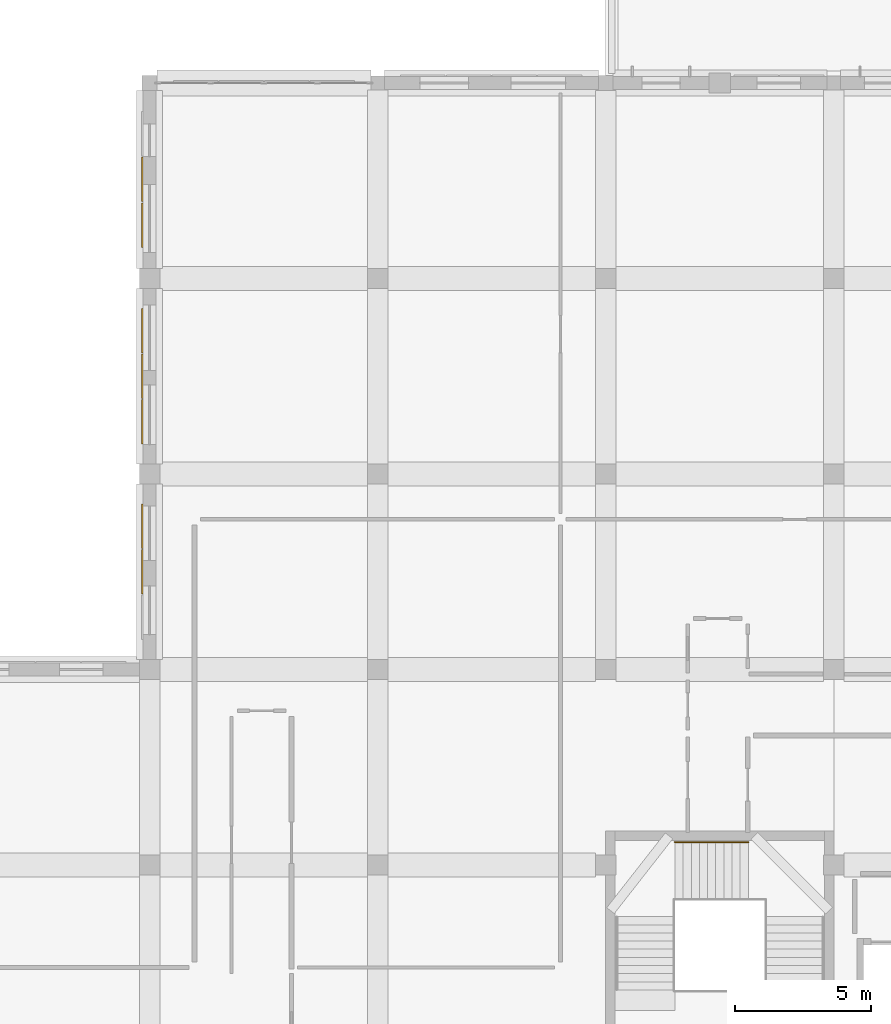
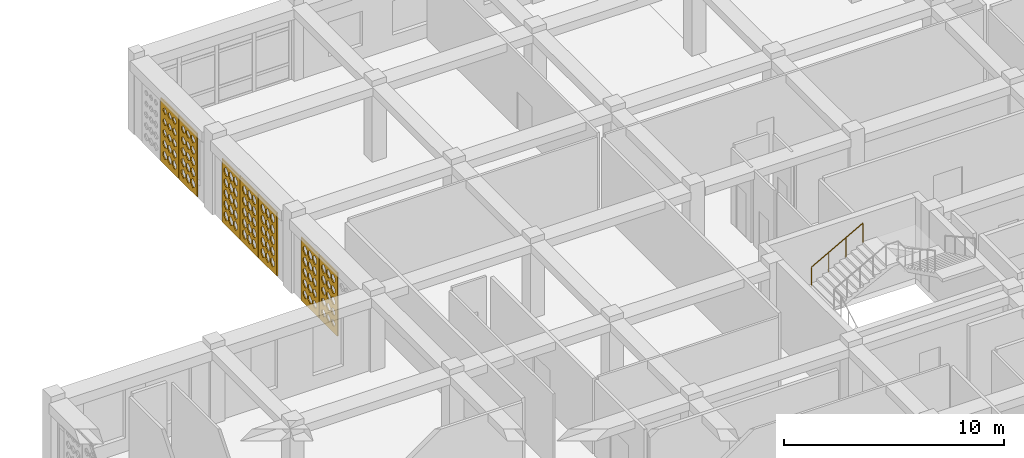
# One storey, part 98 of 111: 7 coverings, 1 railing.
"""IFC4 building model written with IfcOpenShell, lengths in metres."""

from ifc_helpers import new_model, si_unit, derived_unit, direction, frame, origin, origin_2d, place, context, subcontext, project, spatial, polyline, circle, outline, extrude, material, layer, layer_set, type_object, element, save


model = new_model("IFC4")

# Units and contexts
model_context = context("Model", 3, precision=1e-05, world=origin(), true_north=direction((0.0, 1.0)))
body_context = subcontext(model_context, "Body", "Model", "MODEL_VIEW")
ifc_project = project(units=[si_unit("LENGTHUNIT", "METRE"), si_unit("AREAUNIT", "SQUARE_METRE"), si_unit("VOLUMEUNIT", "CUBIC_METRE"), si_unit("PLANEANGLEUNIT", "RADIAN"), si_unit("MASSUNIT", "GRAM", prefix="KILO"), derived_unit("THERMALTRANSMITTANCEUNIT", [(si_unit("POWERUNIT", "WATT"), 1), (si_unit("LENGTHUNIT", "METRE"), -2), (si_unit("THERMODYNAMICTEMPERATUREUNIT", "KELVIN"), -1)])], contexts=[model_context])

# Site, building, storey
site_placement = place(None, origin())
site = spatial("IfcSite", under=ifc_project, at=site_placement, CompositionType="ELEMENT")
building_placement = place(site_placement, origin())
building = spatial("IfcBuilding", under=site, at=building_placement, Name="Veybourne Emporium", CompositionType="ELEMENT")
storey_placement = place(building_placement, frame((0.0, 0.0, 9.89990234375)))
storey = spatial("IfcBuildingStorey", under=building, at=storey_placement, Name="L02", CompositionType="ELEMENT", Elevation=9.89990234375)

# Railing
ifc_material_1 = material(Name="Brushed Stainless Steel", Category="steel")
railing_type = type_object("IfcRailingType", Name="Handrail_HR-01", PredefinedType="HANDRAIL", material=ifc_material_1)
railing_placement = place(storey_placement, frame((52.949951171875, 80.0400390625, 1.650146484375)))
element("IfcRailing", 1, at=railing_placement, inside=storey, type_object=railing_type, Name="L02 ST-03 pitch handrail 2", PredefinedType="HANDRAIL", context=body_context, shape_type="SweptSolid", body=[
    extrude(circle(Radius=0.02392578125, at=origin_2d()), frame((0.0, 0.0, 0.92578125), z_axis=(0.87415354758, 0.0, 0.485649642493), x_axis=(0.0, 1.0, 0.0)), (0.0, 0.0, 1.0), 3.088623046875),
    extrude(circle(Radius=0.02099609375, at=origin_2d()), frame((0.0, 0.0, -0.14990234375)), (0.0, 0.0, 1.0), 1.0517578125),
    extrude(circle(Radius=0.02099609375, at=origin_2d()), frame((0.89990234375, 0.0, 0.35009765625)), (0.0, 0.0, 1.0), 1.0517578125),
    extrude(circle(Radius=0.02099609375, at=origin_2d()), frame((1.800048828125, 0.0, 0.85009765625)), (0.0, 0.0, 1.0), 1.0517578125),
    extrude(circle(Radius=0.02099609375, at=origin_2d()), frame((2.699951171875, 0.0, 1.35009765625)), (0.0, 0.0, 1.0), 1.0517578125),
])

# Coverings
ifc_material_2 = material(Name="Warm-White Perforated Aluminium Screen Alloy", Category="aluminium")
ifc_layer_1 = layer(ifc_material_2, 0.06005859375)
ifc_layer_set_1 = layer_set([ifc_layer_1], Name="Warm-White Perforated Aluminium Screen Alloy")
covering_type_1 = type_object("IfcCoveringType", Name="WaveScreen_SCR-01", PredefinedType="CLADDING", material=ifc_layer_set_1)
covering_1_placement = place(storey_placement, frame((33.302001953125, 98.8798828125, 1.815185546875), z_axis=(1.0, 0.0, 0.0), x_axis=(0.0, 1.0, 0.0)))
element("IfcCovering", 2, at=covering_1_placement, inside=storey, type_object=covering_type_1, Name="L02 wave-perforated aluminium screen SCR-01 (23.3)", PredefinedType="CLADDING", context=body_context, shape_type="SweptSolid", body=[
    extrude(outline(polyline([(-0.81982421875, -1.7548828125), (0.81982421875, -1.7548828125), (0.81982421875, 1.7548828125), (-0.81982421875, 1.7548828125), (-0.81982421875, -1.7548828125)]), holes=[polyline([(-0.433349609375, -0.964111328125), (-0.2470703125, -1.133056640625), (-0.2470703125, -1.322998046875), (-0.433349609375, -1.491943359375), (-0.61962890625, -1.322998046875), (-0.61962890625, -1.133056640625), (-0.433349609375, -0.964111328125)]), polyline([(-0.433349609375, -0.35009765625), (-0.2470703125, -0.51904296875), (-0.2470703125, -0.708984375), (-0.433349609375, -0.8779296875), (-0.61962890625, -0.708984375), (-0.61962890625, -0.51904296875), (-0.433349609375, -0.35009765625)]), polyline([(-0.433349609375, 0.263916015625), (-0.2470703125, 0.094970703125), (-0.2470703125, -0.094970703125), (-0.433349609375, -0.263916015625), (-0.61962890625, -0.094970703125), (-0.61962890625, 0.094970703125), (-0.433349609375, 0.263916015625)]), polyline([(-0.433349609375, 0.8779296875), (-0.2470703125, 0.708984375), (-0.2470703125, 0.51904296875), (-0.433349609375, 0.35009765625), (-0.61962890625, 0.51904296875), (-0.61962890625, 0.708984375), (-0.433349609375, 0.8779296875)]), polyline([(-0.433349609375, 1.486572265625), (-0.2470703125, 1.321044921875), (-0.2470703125, 1.135009765625), (-0.433349609375, 0.969482421875), (-0.61962890625, 1.135009765625), (-0.61962890625, 1.321044921875), (-0.433349609375, 1.486572265625)]), polyline([(0.0, -0.964111328125), (0.186279296875, -1.133056640625), (0.186279296875, -1.322998046875), (0.0, -1.491943359375), (-0.186279296875, -1.322998046875), (-0.186279296875, -1.133056640625), (0.0, -0.964111328125)]), polyline([(0.0, -0.35009765625), (0.186279296875, -0.51904296875), (0.186279296875, -0.708984375), (0.0, -0.8779296875), (-0.186279296875, -0.708984375), (-0.186279296875, -0.51904296875), (0.0, -0.35009765625)]), polyline([(0.0, 0.263916015625), (0.186279296875, 0.094970703125), (0.186279296875, -0.094970703125), (0.0, -0.263916015625), (-0.186279296875, -0.094970703125), (-0.186279296875, 0.094970703125), (0.0, 0.263916015625)]), polyline([(0.0, 0.876953125), (0.186279296875, 0.708740234375), (0.186279296875, 0.519287109375), (0.0, 0.35107421875), (-0.186279296875, 0.519287109375), (-0.186279296875, 0.708740234375), (0.0, 0.876953125)]), polyline([(0.0, 1.482666015625), (0.186279296875, 1.319580078125), (0.186279296875, 1.13623046875), (0.0, 0.973388671875), (-0.186279296875, 1.13623046875), (-0.186279296875, 1.319580078125), (0.0, 1.482666015625)]), polyline([(0.433349609375, -0.964111328125), (0.61962890625, -1.133056640625), (0.61962890625, -1.322998046875), (0.433349609375, -1.491943359375), (0.2470703125, -1.322998046875), (0.2470703125, -1.133056640625), (0.433349609375, -0.964111328125)]), polyline([(0.433349609375, -0.35009765625), (0.61962890625, -0.51904296875), (0.61962890625, -0.708984375), (0.433349609375, -0.8779296875), (0.2470703125, -0.708984375), (0.2470703125, -0.51904296875), (0.433349609375, -0.35009765625)]), polyline([(0.433349609375, 0.263916015625), (0.61962890625, 0.094970703125), (0.61962890625, -0.094970703125), (0.433349609375, -0.263916015625), (0.2470703125, -0.094970703125), (0.2470703125, 0.094970703125), (0.433349609375, 0.263916015625)]), polyline([(0.433349609375, 0.873291015625), (0.61962890625, 0.70751953125), (0.61962890625, 0.5205078125), (0.433349609375, 0.3544921875), (0.2470703125, 0.5205078125), (0.2470703125, 0.70751953125), (0.433349609375, 0.873291015625)]), polyline([(0.433349609375, 1.478271484375), (0.61962890625, 1.318115234375), (0.61962890625, 1.137939453125), (0.433349609375, 0.977783203125), (0.2470703125, 1.137939453125), (0.2470703125, 1.318115234375), (0.433349609375, 1.478271484375)])]), origin(), (0.0, 0.0, 1.0), 0.06005859375),
])
covering_2_placement = place(storey_placement, frame((33.302001953125, 102.77001953125, 1.815185546875), z_axis=(1.0, 0.0, 0.0), x_axis=(0.0, 1.0, 0.0)))
element("IfcCovering", 3, at=covering_2_placement, inside=storey, type_object=covering_type_1, Name="L02 wave-perforated aluminium screen SCR-01 (25.1)", PredefinedType="CLADDING", context=body_context, shape_type="SweptSolid", body=[
    extrude(outline(polyline([(-0.81982421875, -1.7548828125), (0.81982421875, -1.7548828125), (0.81982421875, 1.7548828125), (-0.81982421875, 1.7548828125), (-0.81982421875, -1.7548828125)]), holes=[polyline([(-0.433349609375, -0.969970703125), (-0.2470703125, -1.135009765625), (-0.2470703125, -1.32080078125), (-0.433349609375, -1.486083984375), (-0.61962890625, -1.32080078125), (-0.61962890625, -1.135009765625), (-0.433349609375, -0.969970703125)]), polyline([(-0.433349609375, -0.365478515625), (-0.2470703125, -0.5244140625), (-0.2470703125, -0.70361328125), (-0.433349609375, -0.862548828125), (-0.61962890625, -0.70361328125), (-0.61962890625, -0.5244140625), (-0.433349609375, -0.365478515625)]), polyline([(-0.433349609375, 0.2373046875), (-0.2470703125, 0.08544921875), (-0.2470703125, -0.08544921875), (-0.433349609375, -0.2373046875), (-0.61962890625, -0.08544921875), (-0.61962890625, 0.08544921875), (-0.433349609375, 0.2373046875)]), polyline([(-0.433349609375, 0.8388671875), (-0.2470703125, 0.69482421875), (-0.2470703125, 0.533203125), (-0.433349609375, 0.38916015625), (-0.61962890625, 0.533203125), (-0.61962890625, 0.69482421875), (-0.433349609375, 0.8388671875)]), polyline([(-0.433349609375, 1.439208984375), (-0.25048828125, 1.30419921875), (-0.25048828125, 1.15185546875), (-0.433349609375, 1.0166015625), (-0.6162109375, 1.15185546875), (-0.6162109375, 1.30419921875), (-0.433349609375, 1.439208984375)]), polyline([(0.0, -0.97412109375), (0.186279296875, -1.13671875), (0.186279296875, -1.3193359375), (0.0, -1.48193359375), (-0.186279296875, -1.3193359375), (-0.186279296875, -1.13671875), (0.0, -0.97412109375)]), polyline([(0.0, -0.370361328125), (0.186279296875, -0.5263671875), (0.186279296875, -0.70166015625), (0.0, -0.857666015625), (-0.186279296875, -0.70166015625), (-0.186279296875, -0.5263671875), (0.0, -0.370361328125)]), polyline([(0.0, 0.231689453125), (0.186279296875, 0.08349609375), (0.186279296875, -0.08349609375), (0.0, -0.231689453125), (-0.186279296875, -0.08349609375), (-0.186279296875, 0.08349609375), (0.0, 0.231689453125)]), polyline([(0.0, 0.832763671875), (0.186279296875, 0.69287109375), (0.186279296875, 0.53515625), (0.0, 0.395263671875), (-0.186279296875, 0.53515625), (-0.186279296875, 0.69287109375), (0.0, 0.832763671875)]), polyline([(0.0, 1.43310546875), (0.177734375, 1.3017578125), (0.177734375, 1.154296875), (0.0, 1.02294921875), (-0.177734375, 1.154296875), (-0.177734375, 1.3017578125), (0.0, 1.43310546875)]), polyline([(0.433349609375, -0.978515625), (0.61962890625, -1.13818359375), (0.61962890625, -1.31787109375), (0.433349609375, -1.477294921875), (0.2470703125, -1.31787109375), (0.2470703125, -1.13818359375), (0.433349609375, -0.978515625)]), polyline([(0.433349609375, -0.37548828125), (0.61962890625, -0.5283203125), (0.61962890625, -0.69970703125), (0.433349609375, -0.852294921875), (0.2470703125, -0.69970703125), (0.2470703125, -0.5283203125), (0.433349609375, -0.37548828125)]), polyline([(0.433349609375, 0.22607421875), (0.61962890625, 0.081298828125), (0.61962890625, -0.081298828125), (0.433349609375, -0.22607421875), (0.2470703125, -0.081298828125), (0.2470703125, 0.081298828125), (0.433349609375, 0.22607421875)]), polyline([(0.433349609375, 0.82666015625), (0.6171875, 0.6904296875), (0.6171875, 0.53759765625), (0.433349609375, 0.4013671875), (0.24951171875, 0.53759765625), (0.24951171875, 0.6904296875), (0.433349609375, 0.82666015625)]), polyline([(0.433349609375, 1.426513671875), (0.605712890625, 1.299560546875), (0.605712890625, 1.156494140625), (0.433349609375, 1.029296875), (0.2607421875, 1.156494140625), (0.2607421875, 1.299560546875), (0.433349609375, 1.426513671875)])]), origin(), (0.0, 0.0, 1.0), 0.06005859375),
])
ifc_layer_2 = layer(ifc_material_2, 0.06005859375)
ifc_layer_set_2 = layer_set([ifc_layer_2], Name="Warm-White Perforated Aluminium Screen Alloy")
covering_type_2 = type_object("IfcCoveringType", Name="WaveScreen_SCR-02", PredefinedType="CLADDING", material=ifc_layer_set_2)
covering_3_placement = place(storey_placement, frame((33.302001953125, 104.449951171875, 1.815185546875), z_axis=(1.0, 0.0, 0.0), x_axis=(0.0, 1.0, 0.0)))
element("IfcCovering", 4, at=covering_3_placement, inside=storey, type_object=covering_type_2, Name="L02 wave-perforated aluminium screen SCR-02 (25.2)", PredefinedType="CLADDING", context=body_context, shape_type="SweptSolid", body=[
    extrude(outline(polyline([(-0.81982421875, -1.7548828125), (0.81982421875, -1.7548828125), (0.81982421875, 1.7548828125), (-0.81982421875, 1.7548828125), (-0.81982421875, -1.7548828125)]), holes=[polyline([(-0.433349609375, -0.98779296875), (-0.2470703125, -1.1416015625), (-0.2470703125, -1.314453125), (-0.433349609375, -1.468017578125), (-0.61962890625, -1.314453125), (-0.61962890625, -1.1416015625), (-0.433349609375, -0.98779296875)]), polyline([(-0.433349609375, -0.385986328125), (-0.2470703125, -0.531982421875), (-0.2470703125, -0.696044921875), (-0.433349609375, -0.841796875), (-0.61962890625, -0.696044921875), (-0.61962890625, -0.531982421875), (-0.433349609375, -0.385986328125)]), polyline([(-0.433349609375, 0.214599609375), (-0.247802734375, 0.077392578125), (-0.247802734375, -0.077392578125), (-0.433349609375, -0.214599609375), (-0.618896484375, -0.077392578125), (-0.618896484375, 0.077392578125), (-0.433349609375, 0.214599609375)]), polyline([(-0.433349609375, 0.814697265625), (-0.259033203125, 0.686279296875), (-0.259033203125, 0.541748046875), (-0.433349609375, 0.413330078125), (-0.607421875, 0.541748046875), (-0.607421875, 0.686279296875), (-0.433349609375, 0.814697265625)]), polyline([(-0.433349609375, 1.41455078125), (-0.270751953125, 1.295166015625), (-0.270751953125, 1.160888671875), (-0.433349609375, 1.04150390625), (-0.595947265625, 1.160888671875), (-0.595947265625, 1.295166015625), (-0.433349609375, 1.41455078125)]), polyline([(0.0, -0.993408203125), (0.186279296875, -1.1435546875), (0.186279296875, -1.3125), (0.0, -1.462646484375), (-0.186279296875, -1.3125), (-0.186279296875, -1.1435546875), (0.0, -0.993408203125)]), polyline([(0.0, -0.39208984375), (0.186279296875, -0.5341796875), (0.186279296875, -0.69384765625), (0.0, -0.8359375), (-0.186279296875, -0.69384765625), (-0.186279296875, -0.5341796875), (0.0, -0.39208984375)]), polyline([(0.0, 0.20849609375), (0.180419921875, 0.074951171875), (0.180419921875, -0.074951171875), (0.0, -0.20849609375), (-0.180419921875, -0.074951171875), (-0.180419921875, 0.074951171875), (0.0, 0.20849609375)]), polyline([(0.0, 0.808349609375), (0.1689453125, 0.683837890625), (0.1689453125, 0.544189453125), (0.0, 0.419677734375), (-0.1689453125, 0.544189453125), (-0.1689453125, 0.683837890625), (0.0, 0.808349609375)]), polyline([(0.0, 1.408203125), (0.157470703125, 1.292724609375), (0.157470703125, 1.1630859375), (0.0, 1.0478515625), (-0.157470703125, 1.1630859375), (-0.157470703125, 1.292724609375), (0.0, 1.408203125)]), polyline([(0.433349609375, -0.998779296875), (0.61962890625, -1.1455078125), (0.61962890625, -1.310546875), (0.433349609375, -1.45703125), (0.2470703125, -1.310546875), (0.2470703125, -1.1455078125), (0.433349609375, -0.998779296875)]), polyline([(0.433349609375, -0.398193359375), (0.61962890625, -0.536376953125), (0.61962890625, -0.691650390625), (0.433349609375, -0.829833984375), (0.2470703125, -0.691650390625), (0.2470703125, -0.536376953125), (0.433349609375, -0.398193359375)]), polyline([(0.433349609375, 0.201904296875), (0.608642578125, 0.07275390625), (0.608642578125, -0.07275390625), (0.433349609375, -0.201904296875), (0.258056640625, -0.07275390625), (0.258056640625, 0.07275390625), (0.433349609375, 0.201904296875)]), polyline([(0.433349609375, 0.8017578125), (0.596923828125, 0.681640625), (0.596923828125, 0.54638671875), (0.433349609375, 0.42626953125), (0.26953125, 0.54638671875), (0.26953125, 0.681640625), (0.433349609375, 0.8017578125)]), polyline([(0.433349609375, 1.40185546875), (0.58544921875, 1.29052734375), (0.58544921875, 1.165283203125), (0.433349609375, 1.05419921875), (0.281005859375, 1.165283203125), (0.281005859375, 1.29052734375), (0.433349609375, 1.40185546875)])]), origin(), (0.0, 0.0, 1.0), 0.06005859375),
])
ifc_layer_3 = layer(ifc_material_2, 0.06005859375)
ifc_layer_set_3 = layer_set([ifc_layer_3], Name="Warm-White Perforated Aluminium Screen Alloy")
covering_type_3 = type_object("IfcCoveringType", Name="WaveScreen_SCR-03", PredefinedType="CLADDING", material=ifc_layer_set_3)
covering_4_placement = place(storey_placement, frame((33.302001953125, 90.0, 1.815185546875), z_axis=(1.0, 0.0, 0.0), x_axis=(0.0, 1.0, 0.0)))
element("IfcCovering", 5, at=covering_4_placement, inside=storey, type_object=covering_type_3, Name="L02 wave-perforated aluminium screen SCR-03 (22.2)", PredefinedType="CLADDING", context=body_context, shape_type="SweptSolid", body=[
    extrude(outline(polyline([(-0.81982421875, -1.7548828125), (0.81982421875, -1.7548828125), (0.81982421875, 1.7548828125), (-0.81982421875, 1.7548828125), (-0.81982421875, -1.7548828125)]), holes=[polyline([(-0.433349609375, -1.041748046875), (-0.27099609375, -1.160888671875), (-0.27099609375, -1.295166015625), (-0.433349609375, -1.414306640625), (-0.595703125, -1.295166015625), (-0.595703125, -1.160888671875), (-0.433349609375, -1.041748046875)]), polyline([(-0.433349609375, -0.41357421875), (-0.25927734375, -0.541748046875), (-0.25927734375, -0.686279296875), (-0.433349609375, -0.814453125), (-0.607421875, -0.686279296875), (-0.607421875, -0.541748046875), (-0.433349609375, -0.41357421875)]), polyline([(-0.433349609375, 0.21435546875), (-0.247802734375, 0.0771484375), (-0.247802734375, -0.0771484375), (-0.433349609375, -0.21435546875), (-0.618896484375, -0.0771484375), (-0.618896484375, 0.0771484375), (-0.433349609375, 0.21435546875)]), polyline([(-0.433349609375, 0.841796875), (-0.2470703125, 0.696044921875), (-0.2470703125, 0.531982421875), (-0.433349609375, 0.38623046875), (-0.61962890625, 0.531982421875), (-0.61962890625, 0.696044921875), (-0.433349609375, 0.841796875)]), polyline([(-0.433349609375, 1.468017578125), (-0.2470703125, 1.314453125), (-0.2470703125, 1.1416015625), (-0.433349609375, 0.988037109375), (-0.61962890625, 1.1416015625), (-0.61962890625, 1.314453125), (-0.433349609375, 1.468017578125)]), polyline([(0.0, -1.03515625), (0.167724609375, -1.15869140625), (0.167724609375, -1.29736328125), (0.0, -1.4208984375), (-0.167724609375, -1.29736328125), (-0.167724609375, -1.15869140625), (0.0, -1.03515625)]), polyline([(0.0, -0.406982421875), (0.17919921875, -0.53955078125), (0.17919921875, -0.6884765625), (0.0, -0.82080078125), (-0.17919921875, -0.6884765625), (-0.17919921875, -0.53955078125), (0.0, -0.406982421875)]), polyline([(0.0, 0.220703125), (0.186279296875, 0.079345703125), (0.186279296875, -0.079345703125), (0.0, -0.220703125), (-0.186279296875, -0.079345703125), (-0.186279296875, 0.079345703125), (0.0, 0.220703125)]), polyline([(0.0, 0.847412109375), (0.186279296875, 0.697998046875), (0.186279296875, 0.530029296875), (0.0, 0.380615234375), (-0.186279296875, 0.530029296875), (-0.186279296875, 0.697998046875), (0.0, 0.847412109375)]), polyline([(0.0, 1.47314453125), (0.186279296875, 1.316162109375), (0.186279296875, 1.139892578125), (0.0, 0.98291015625), (-0.186279296875, 1.139892578125), (-0.186279296875, 1.316162109375), (0.0, 1.47314453125)]), polyline([(0.433349609375, -1.02880859375), (0.606201171875, -1.15625), (0.606201171875, -1.2998046875), (0.433349609375, -1.42724609375), (0.26025390625, -1.2998046875), (0.26025390625, -1.15625), (0.433349609375, -1.02880859375)]), polyline([(0.433349609375, -0.40087890625), (0.61767578125, -0.537353515625), (0.61767578125, -0.690673828125), (0.433349609375, -0.8271484375), (0.248779296875, -0.690673828125), (0.248779296875, -0.537353515625), (0.433349609375, -0.40087890625)]), polyline([(0.433349609375, 0.2265625), (0.61962890625, 0.08154296875), (0.61962890625, -0.08154296875), (0.433349609375, -0.2265625), (0.2470703125, -0.08154296875), (0.2470703125, 0.08154296875), (0.433349609375, 0.2265625)]), polyline([(0.433349609375, 0.852783203125), (0.61962890625, 0.699951171875), (0.61962890625, 0.528076171875), (0.433349609375, 0.375), (0.2470703125, 0.528076171875), (0.2470703125, 0.699951171875), (0.433349609375, 0.852783203125)]), polyline([(0.433349609375, 1.477783203125), (0.61962890625, 1.318115234375), (0.61962890625, 1.137939453125), (0.433349609375, 0.97802734375), (0.2470703125, 1.137939453125), (0.2470703125, 1.318115234375), (0.433349609375, 1.477783203125)])]), origin(), (0.0, 0.0, 1.0), 0.06005859375),
])
covering_5_placement = place(storey_placement, frame((33.302001953125, 95.52001953125, 1.815185546875), z_axis=(1.0, 0.0, 0.0), x_axis=(0.0, 1.0, 0.0)))
element("IfcCovering", 6, at=covering_5_placement, inside=storey, type_object=covering_type_3, Name="L02 wave-perforated aluminium screen SCR-03 (23.1)", PredefinedType="CLADDING", context=body_context, shape_type="SweptSolid", body=[
    extrude(outline(polyline([(-0.81982421875, -1.7548828125), (0.81982421875, -1.7548828125), (0.81982421875, 1.7548828125), (-0.81982421875, 1.7548828125), (-0.81982421875, -1.7548828125)]), holes=[polyline([(-0.433349609375, -0.969970703125), (-0.2470703125, -1.135009765625), (-0.2470703125, -1.32080078125), (-0.433349609375, -1.486083984375), (-0.61962890625, -1.32080078125), (-0.61962890625, -1.135009765625), (-0.433349609375, -0.969970703125)]), polyline([(-0.433349609375, -0.35009765625), (-0.2470703125, -0.51904296875), (-0.2470703125, -0.708984375), (-0.433349609375, -0.8779296875), (-0.61962890625, -0.708984375), (-0.61962890625, -0.51904296875), (-0.433349609375, -0.35009765625)]), polyline([(-0.433349609375, 0.263916015625), (-0.2470703125, 0.094970703125), (-0.2470703125, -0.094970703125), (-0.433349609375, -0.263916015625), (-0.61962890625, -0.094970703125), (-0.61962890625, 0.094970703125), (-0.433349609375, 0.263916015625)]), polyline([(-0.433349609375, 0.8779296875), (-0.2470703125, 0.708984375), (-0.2470703125, 0.51904296875), (-0.433349609375, 0.35009765625), (-0.61962890625, 0.51904296875), (-0.61962890625, 0.708984375), (-0.433349609375, 0.8779296875)]), polyline([(-0.433349609375, 1.491943359375), (-0.2470703125, 1.322998046875), (-0.2470703125, 1.133056640625), (-0.433349609375, 0.964111328125), (-0.61962890625, 1.133056640625), (-0.61962890625, 1.322998046875), (-0.433349609375, 1.491943359375)]), polyline([(0.0, -0.96630859375), (0.186279296875, -1.1337890625), (0.186279296875, -1.322265625), (0.0, -1.48974609375), (-0.186279296875, -1.322265625), (-0.186279296875, -1.1337890625), (0.0, -0.96630859375)]), polyline([(0.0, -0.35009765625), (0.186279296875, -0.51904296875), (0.186279296875, -0.708984375), (0.0, -0.8779296875), (-0.186279296875, -0.708984375), (-0.186279296875, -0.51904296875), (0.0, -0.35009765625)]), polyline([(0.0, 0.263916015625), (0.186279296875, 0.094970703125), (0.186279296875, -0.094970703125), (0.0, -0.263916015625), (-0.186279296875, -0.094970703125), (-0.186279296875, 0.094970703125), (0.0, 0.263916015625)]), polyline([(0.0, 0.8779296875), (0.186279296875, 0.708984375), (0.186279296875, 0.51904296875), (0.0, 0.35009765625), (-0.186279296875, 0.51904296875), (-0.186279296875, 0.708984375), (0.0, 0.8779296875)]), polyline([(0.0, 1.491943359375), (0.186279296875, 1.322998046875), (0.186279296875, 1.133056640625), (0.0, 0.964111328125), (-0.186279296875, 1.133056640625), (-0.186279296875, 1.322998046875), (0.0, 1.491943359375)]), polyline([(0.433349609375, -0.964111328125), (0.61962890625, -1.133056640625), (0.61962890625, -1.322998046875), (0.433349609375, -1.491943359375), (0.2470703125, -1.322998046875), (0.2470703125, -1.133056640625), (0.433349609375, -0.964111328125)]), polyline([(0.433349609375, -0.35009765625), (0.61962890625, -0.51904296875), (0.61962890625, -0.708984375), (0.433349609375, -0.8779296875), (0.2470703125, -0.708984375), (0.2470703125, -0.51904296875), (0.433349609375, -0.35009765625)]), polyline([(0.433349609375, 0.263916015625), (0.61962890625, 0.094970703125), (0.61962890625, -0.094970703125), (0.433349609375, -0.263916015625), (0.2470703125, -0.094970703125), (0.2470703125, 0.094970703125), (0.433349609375, 0.263916015625)]), polyline([(0.433349609375, 0.8779296875), (0.61962890625, 0.708984375), (0.61962890625, 0.51904296875), (0.433349609375, 0.35009765625), (0.2470703125, 0.51904296875), (0.2470703125, 0.708984375), (0.433349609375, 0.8779296875)]), polyline([(0.433349609375, 1.491943359375), (0.61962890625, 1.322998046875), (0.61962890625, 1.133056640625), (0.433349609375, 0.964111328125), (0.2470703125, 1.133056640625), (0.2470703125, 1.322998046875), (0.433349609375, 1.491943359375)])]), origin(), (0.0, 0.0, 1.0), 0.06005859375),
])
ifc_layer_4 = layer(ifc_material_2, 0.06005859375)
ifc_layer_set_4 = layer_set([ifc_layer_4], Name="Warm-White Perforated Aluminium Screen Alloy")
covering_type_4 = type_object("IfcCoveringType", Name="WaveScreen_SCR-04", PredefinedType="CLADDING", material=ifc_layer_set_4)
covering_6_placement = place(storey_placement, frame((33.302001953125, 91.679931640625, 1.815185546875), z_axis=(1.0, 0.0, 0.0), x_axis=(0.0, 1.0, 0.0)))
element("IfcCovering", 7, at=covering_6_placement, inside=storey, type_object=covering_type_4, Name="L02 wave-perforated aluminium screen SCR-04 (22.3)", PredefinedType="CLADDING", context=body_context, shape_type="SweptSolid", body=[
    extrude(outline(polyline([(-0.81982421875, -1.7548828125), (0.81982421875, -1.7548828125), (0.81982421875, 1.7548828125), (-0.81982421875, 1.7548828125), (-0.81982421875, -1.7548828125)]), holes=[polyline([(-0.433349609375, -1.016845703125), (-0.25048828125, -1.152099609375), (-0.25048828125, -1.303955078125), (-0.433349609375, -1.439208984375), (-0.6162109375, -1.303955078125), (-0.6162109375, -1.152099609375), (-0.433349609375, -1.016845703125)]), polyline([(-0.433349609375, -0.389404296875), (-0.2470703125, -0.533203125), (-0.2470703125, -0.69482421875), (-0.433349609375, -0.838623046875), (-0.61962890625, -0.69482421875), (-0.61962890625, -0.533203125), (-0.433349609375, -0.389404296875)]), polyline([(-0.433349609375, 0.237060546875), (-0.2470703125, 0.08544921875), (-0.2470703125, -0.08544921875), (-0.433349609375, -0.237060546875), (-0.61962890625, -0.08544921875), (-0.61962890625, 0.08544921875), (-0.433349609375, 0.237060546875)]), polyline([(-0.433349609375, 0.8623046875), (-0.2470703125, 0.703369140625), (-0.2470703125, 0.524658203125), (-0.433349609375, 0.36572265625), (-0.61962890625, 0.524658203125), (-0.61962890625, 0.703369140625), (-0.433349609375, 0.8623046875)]), polyline([(-0.433349609375, 1.48583984375), (-0.2470703125, 1.32080078125), (-0.2470703125, 1.13525390625), (-0.433349609375, 0.97021484375), (-0.61962890625, 1.13525390625), (-0.61962890625, 1.32080078125), (-0.433349609375, 1.48583984375)]), polyline([(0.0, -1.0107421875), (0.186279296875, -1.14990234375), (0.186279296875, -1.30615234375), (0.0, -1.4453125), (-0.186279296875, -1.30615234375), (-0.186279296875, -1.14990234375), (0.0, -1.0107421875)]), polyline([(0.0, -0.383544921875), (0.186279296875, -0.531005859375), (0.186279296875, -0.697021484375), (0.0, -0.844482421875), (-0.186279296875, -0.697021484375), (-0.186279296875, -0.531005859375), (0.0, -0.383544921875)]), polyline([(0.0, 0.242431640625), (0.186279296875, 0.08740234375), (0.186279296875, -0.08740234375), (0.0, -0.242431640625), (-0.186279296875, -0.08740234375), (-0.186279296875, 0.08740234375), (0.0, 0.242431640625)]), polyline([(0.0, 0.866943359375), (0.186279296875, 0.705078125), (0.186279296875, 0.52294921875), (0.0, 0.361083984375), (-0.186279296875, 0.52294921875), (-0.186279296875, 0.705078125), (0.0, 0.866943359375)]), polyline([(0.0, 1.489501953125), (0.186279296875, 1.322265625), (0.186279296875, 1.1337890625), (0.0, 0.96630859375), (-0.186279296875, 1.1337890625), (-0.186279296875, 1.322265625), (0.0, 1.489501953125)]), polyline([(0.433349609375, -1.004638671875), (0.61962890625, -1.147705078125), (0.61962890625, -1.308349609375), (0.433349609375, -1.451416015625), (0.2470703125, -1.308349609375), (0.2470703125, -1.147705078125), (0.433349609375, -1.004638671875)]), polyline([(0.433349609375, -0.3779296875), (0.61962890625, -0.529052734375), (0.61962890625, -0.698974609375), (0.433349609375, -0.85009765625), (0.2470703125, -0.698974609375), (0.2470703125, -0.529052734375), (0.433349609375, -0.3779296875)]), polyline([(0.433349609375, 0.247314453125), (0.61962890625, 0.089111328125), (0.61962890625, -0.089111328125), (0.433349609375, -0.247314453125), (0.2470703125, -0.089111328125), (0.2470703125, 0.089111328125), (0.433349609375, 0.247314453125)]), polyline([(0.433349609375, 0.87109375), (0.61962890625, 0.70654296875), (0.61962890625, 0.521484375), (0.433349609375, 0.35693359375), (0.2470703125, 0.521484375), (0.2470703125, 0.70654296875), (0.433349609375, 0.87109375)]), polyline([(0.433349609375, 1.491943359375), (0.61962890625, 1.322998046875), (0.61962890625, 1.133056640625), (0.433349609375, 0.964111328125), (0.2470703125, 1.133056640625), (0.2470703125, 1.322998046875), (0.433349609375, 1.491943359375)])]), origin(), (0.0, 0.0, 1.0), 0.06005859375),
])
covering_7_placement = place(storey_placement, frame((33.302001953125, 97.199951171875, 1.815185546875), z_axis=(1.0, 0.0, 0.0), x_axis=(0.0, 1.0, 0.0)))
element("IfcCovering", 8, at=covering_7_placement, inside=storey, type_object=covering_type_4, Name="L02 wave-perforated aluminium screen SCR-04 (23.2)", PredefinedType="CLADDING", context=body_context, shape_type="SweptSolid", body=[
    extrude(outline(polyline([(-0.81982421875, -1.7548828125), (0.81982421875, -1.7548828125), (0.81982421875, 1.7548828125), (-0.81982421875, 1.7548828125), (-0.81982421875, -1.7548828125)]), holes=[polyline([(-0.433349609375, -0.964111328125), (-0.2470703125, -1.133056640625), (-0.2470703125, -1.322998046875), (-0.433349609375, -1.491943359375), (-0.61962890625, -1.322998046875), (-0.61962890625, -1.133056640625), (-0.433349609375, -0.964111328125)]), polyline([(-0.433349609375, -0.35009765625), (-0.2470703125, -0.51904296875), (-0.2470703125, -0.708984375), (-0.433349609375, -0.8779296875), (-0.61962890625, -0.708984375), (-0.61962890625, -0.51904296875), (-0.433349609375, -0.35009765625)]), polyline([(-0.433349609375, 0.263916015625), (-0.2470703125, 0.094970703125), (-0.2470703125, -0.094970703125), (-0.433349609375, -0.263916015625), (-0.61962890625, -0.094970703125), (-0.61962890625, 0.094970703125), (-0.433349609375, 0.263916015625)]), polyline([(-0.433349609375, 0.8779296875), (-0.2470703125, 0.708984375), (-0.2470703125, 0.51904296875), (-0.433349609375, 0.35009765625), (-0.61962890625, 0.51904296875), (-0.61962890625, 0.708984375), (-0.433349609375, 0.8779296875)]), polyline([(-0.433349609375, 1.491943359375), (-0.2470703125, 1.322998046875), (-0.2470703125, 1.133056640625), (-0.433349609375, 0.964111328125), (-0.61962890625, 1.133056640625), (-0.61962890625, 1.322998046875), (-0.433349609375, 1.491943359375)]), polyline([(0.0, -0.964111328125), (0.186279296875, -1.133056640625), (0.186279296875, -1.322998046875), (0.0, -1.491943359375), (-0.186279296875, -1.322998046875), (-0.186279296875, -1.133056640625), (0.0, -0.964111328125)]), polyline([(0.0, -0.35009765625), (0.186279296875, -0.51904296875), (0.186279296875, -0.708984375), (0.0, -0.8779296875), (-0.186279296875, -0.708984375), (-0.186279296875, -0.51904296875), (0.0, -0.35009765625)]), polyline([(0.0, 0.263916015625), (0.186279296875, 0.094970703125), (0.186279296875, -0.094970703125), (0.0, -0.263916015625), (-0.186279296875, -0.094970703125), (-0.186279296875, 0.094970703125), (0.0, 0.263916015625)]), polyline([(0.0, 0.8779296875), (0.186279296875, 0.708984375), (0.186279296875, 0.51904296875), (0.0, 0.35009765625), (-0.186279296875, 0.51904296875), (-0.186279296875, 0.708984375), (0.0, 0.8779296875)]), polyline([(0.0, 1.491943359375), (0.186279296875, 1.322998046875), (0.186279296875, 1.133056640625), (0.0, 0.964111328125), (-0.186279296875, 1.133056640625), (-0.186279296875, 1.322998046875), (0.0, 1.491943359375)]), polyline([(0.433349609375, -0.964111328125), (0.61962890625, -1.133056640625), (0.61962890625, -1.322998046875), (0.433349609375, -1.491943359375), (0.2470703125, -1.322998046875), (0.2470703125, -1.133056640625), (0.433349609375, -0.964111328125)]), polyline([(0.433349609375, -0.35009765625), (0.61962890625, -0.51904296875), (0.61962890625, -0.708984375), (0.433349609375, -0.8779296875), (0.2470703125, -0.708984375), (0.2470703125, -0.51904296875), (0.433349609375, -0.35009765625)]), polyline([(0.433349609375, 0.263916015625), (0.61962890625, 0.094970703125), (0.61962890625, -0.094970703125), (0.433349609375, -0.263916015625), (0.2470703125, -0.094970703125), (0.2470703125, 0.094970703125), (0.433349609375, 0.263916015625)]), polyline([(0.433349609375, 0.8779296875), (0.61962890625, 0.708984375), (0.61962890625, 0.51904296875), (0.433349609375, 0.35009765625), (0.2470703125, 0.51904296875), (0.2470703125, 0.708984375), (0.433349609375, 0.8779296875)]), polyline([(0.433349609375, 1.491943359375), (0.61962890625, 1.322998046875), (0.61962890625, 1.133056640625), (0.433349609375, 0.964111328125), (0.2470703125, 1.133056640625), (0.2470703125, 1.322998046875), (0.433349609375, 1.491943359375)])]), origin(), (0.0, 0.0, 1.0), 0.06005859375),
])

save(model, "model.ifc")
